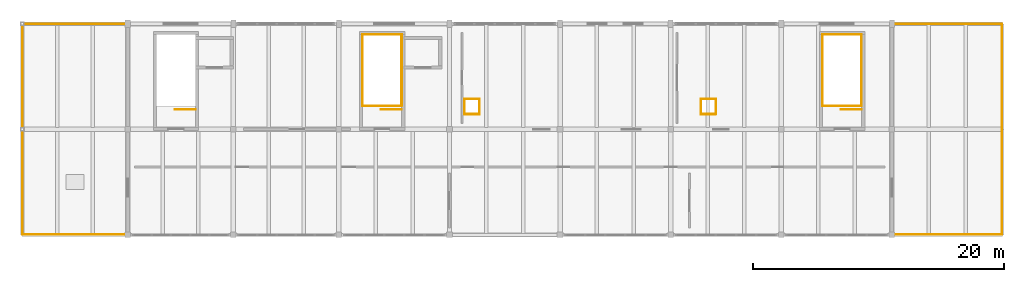
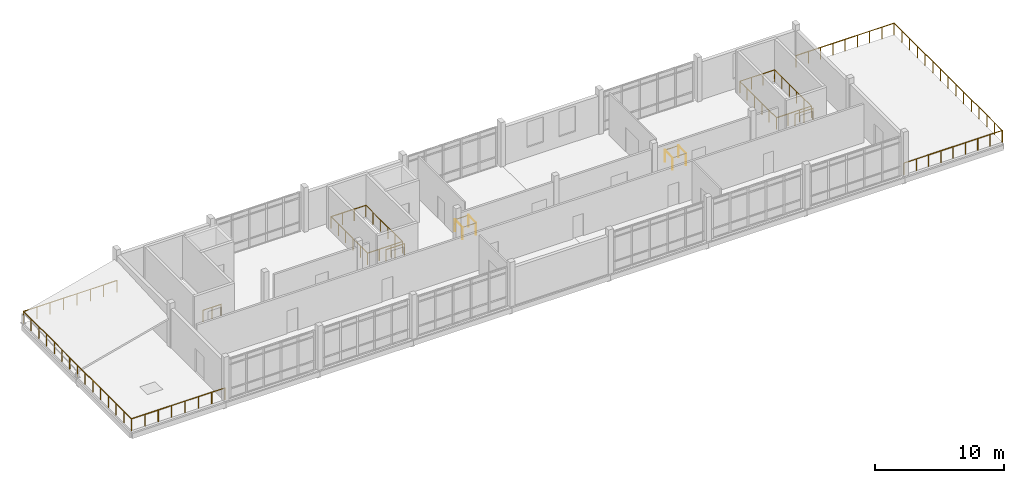
# One storey, part 13 of 13: 25 railings.
"""IFC4 building model written with IfcOpenShell, lengths in metres."""

from ifc_helpers import new_model, si_unit, direction, frame, origin, origin_2d, place, context, subcontext, project, spatial, circle, extrude, material, type_object, element, save


model = new_model("IFC4")

# Units and contexts
model_context = context("Model", 3, precision=1e-05, world=origin(), true_north=direction((0.0, 1.0)))
body_context = subcontext(model_context, "Body", "Model", "MODEL_VIEW")
ifc_project = project(units=[si_unit("LENGTHUNIT", "METRE"), si_unit("AREAUNIT", "SQUARE_METRE"), si_unit("VOLUMEUNIT", "CUBIC_METRE"), si_unit("PLANEANGLEUNIT", "RADIAN"), si_unit("MASSUNIT", "GRAM", prefix="KILO")], contexts=[model_context])

# Site, building, storey
site_placement = place(None, origin())
site = spatial("IfcSite", under=ifc_project, at=site_placement, CompositionType="ELEMENT")
building_placement = place(site_placement, origin())
building = spatial("IfcBuilding", under=site, at=building_placement, Name="Cinderway Yard Community Centre", CompositionType="ELEMENT")
storey_placement = place(building_placement, frame((0.0, 0.0, 20.10009765625)))
storey = spatial("IfcBuildingStorey", under=building, at=storey_placement, Name="L05", CompositionType="ELEMENT", Elevation=20.10009765625)

# Railings
ifc_material = material(Name="Painted Galvanised Steel", Category="steel")
railing_type = type_object("IfcRailingType", Name="INT-RAL-GRD112", PredefinedType="GUARDRAIL", material=ifc_material)
railing_1_placement = place(storey_placement, frame((63.800048828125, 108.3798828125, 0.0)))
element("IfcRailing", 1, at=railing_1_placement, inside=storey, type_object=railing_type, Name="L05 ST-01 top well guard 1", PredefinedType="GUARDRAIL", context=body_context, shape_type="SweptSolid", body=[
    extrude(circle(Radius=0.02392578125, at=origin_2d()), frame((0.0, 0.0, 1.076171875), z_axis=(-1.0, 0.0, 0.0), x_axis=(0.0, -1.0, 0.0)), (0.0, 0.0, 1.0), 1.64013671875),
    extrude(circle(Radius=0.02099609375, at=origin_2d()), origin(), (0.0, 0.0, 1.0), 1.052001953125),
    extrude(circle(Radius=0.02099609375, at=origin_2d()), frame((-0.820068359375, 0.0, 0.0)), (0.0, 0.0, 1.0), 1.052001953125),
    extrude(circle(Radius=0.02099609375, at=origin_2d()), frame((-1.64013671875, 0.0, 0.0)), (0.0, 0.0, 1.0), 1.052001953125),
])
railing_2_placement = place(storey_placement, frame((80.199951171875, 108.3798828125, 0.0)))
element("IfcRailing", 2, at=railing_2_placement, inside=storey, type_object=railing_type, Name="L05 ST-02 top well guard 1", PredefinedType="GUARDRAIL", context=body_context, shape_type="SweptSolid", body=[
    extrude(circle(Radius=0.02392578125, at=origin_2d()), frame((0.0, 0.0, 1.076171875), z_axis=(-1.0, 0.0, 0.0), x_axis=(0.0, -1.0, 0.0)), (0.0, 0.0, 1.0), 1.639892578125),
    extrude(circle(Radius=0.02099609375, at=origin_2d()), origin(), (0.0, 0.0, 1.0), 1.052001953125),
    extrude(circle(Radius=0.02099609375, at=origin_2d()), frame((-0.81982421875, 0.0, 0.0)), (0.0, 0.0, 1.0), 1.052001953125),
    extrude(circle(Radius=0.02099609375, at=origin_2d()), frame((-1.639892578125, 0.0, 0.0)), (0.0, 0.0, 1.0), 1.052001953125),
])
railing_3_placement = place(storey_placement, frame((116.800048828125, 108.3798828125, 0.0)))
element("IfcRailing", 3, at=railing_3_placement, inside=storey, type_object=railing_type, Name="L05 ST-03 top well guard 1", PredefinedType="GUARDRAIL", context=body_context, shape_type="SweptSolid", body=[
    extrude(circle(Radius=0.02392578125, at=origin_2d()), frame((0.0, 0.0, 1.076171875), z_axis=(-1.0, 0.0, 0.0), x_axis=(0.0, -1.0, 0.0)), (0.0, 0.0, 1.0), 1.64013671875),
    extrude(circle(Radius=0.02099609375, at=origin_2d()), origin(), (0.0, 0.0, 1.0), 1.052001953125),
    extrude(circle(Radius=0.02099609375, at=origin_2d()), frame((-0.820068359375, 0.0, 0.0)), (0.0, 0.0, 1.0), 1.052001953125),
    extrude(circle(Radius=0.02099609375, at=origin_2d()), frame((-1.64013671875, 0.0, 0.0)), (0.0, 0.0, 1.0), 1.052001953125),
])
railing_4_placement = place(storey_placement, frame((58.39990234375, 98.419921875, 0.0)))
element("IfcRailing", 4, at=railing_4_placement, inside=storey, type_object=railing_type, Name="V4 L05 West Seminar Terrace Guard 048", PredefinedType="GUARDRAIL", context=body_context, shape_type="SweptSolid", body=[
    extrude(circle(Radius=0.02392578125, at=origin_2d()), frame((0.0, 0.0, 1.09619140625), z_axis=(-1.0, 0.0, 0.0), x_axis=(0.0, -1.0, 0.0)), (0.0, 0.0, 1.0), 8.3798828125),
    extrude(circle(Radius=0.02099609375, at=origin_2d()), origin(), (0.0, 0.0, 1.0), 1.072021484375),
    extrude(circle(Radius=0.02099609375, at=origin_2d()), frame((-1.197021484375, 0.0, 0.0)), (0.0, 0.0, 1.0), 1.072021484375),
    extrude(circle(Radius=0.02099609375, at=origin_2d()), frame((-2.394287109375, 0.0, 0.0)), (0.0, 0.0, 1.0), 1.072021484375),
    extrude(circle(Radius=0.02099609375, at=origin_2d()), frame((-3.59130859375, 0.0, 0.0)), (0.0, 0.0, 1.0), 1.072021484375),
    extrude(circle(Radius=0.02099609375, at=origin_2d()), frame((-4.78857421875, 0.0, 0.0)), (0.0, 0.0, 1.0), 1.072021484375),
    extrude(circle(Radius=0.02099609375, at=origin_2d()), frame((-5.985595703125, 0.0, 0.0)), (0.0, 0.0, 1.0), 1.072021484375),
    extrude(circle(Radius=0.02099609375, at=origin_2d()), frame((-7.182861328125, 0.0, 0.0)), (0.0, 0.0, 1.0), 1.072021484375),
    extrude(circle(Radius=0.02099609375, at=origin_2d()), frame((-8.3798828125, 0.0, 0.0)), (0.0, 0.0, 1.0), 1.072021484375),
])
railing_5_placement = place(storey_placement, frame((50.02001953125, 98.419921875, 0.0)))
element("IfcRailing", 5, at=railing_5_placement, inside=storey, type_object=railing_type, Name="V4 L05 West Seminar Terrace Guard 049", PredefinedType="GUARDRAIL", context=body_context, shape_type="SweptSolid", body=[
    extrude(circle(Radius=0.02392578125, at=origin_2d()), frame((0.0, 0.0, 1.09619140625), z_axis=(0.0, 1.0, 0.0), x_axis=(-1.0, 0.0, 0.0)), (0.0, 0.0, 1.0), 16.760009765625),
    extrude(circle(Radius=0.02099609375, at=origin_2d()), origin(), (0.0, 0.0, 1.0), 1.072021484375),
    extrude(circle(Radius=0.02099609375, at=origin_2d()), frame((0.0, 1.197265625, 0.0)), (0.0, 0.0, 1.0), 1.072021484375),
    extrude(circle(Radius=0.02099609375, at=origin_2d()), frame((0.0, 2.394287109375, 0.0)), (0.0, 0.0, 1.0), 1.072021484375),
    extrude(circle(Radius=0.02099609375, at=origin_2d()), frame((0.0, 3.59130859375, 0.0)), (0.0, 0.0, 1.0), 1.072021484375),
    extrude(circle(Radius=0.02099609375, at=origin_2d()), frame((0.0, 4.78857421875, 0.0)), (0.0, 0.0, 1.0), 1.072021484375),
    extrude(circle(Radius=0.02099609375, at=origin_2d()), frame((0.0, 5.98583984375, 0.0)), (0.0, 0.0, 1.0), 1.072021484375),
    extrude(circle(Radius=0.02099609375, at=origin_2d()), frame((0.0, 7.182861328125, 0.0)), (0.0, 0.0, 1.0), 1.072021484375),
    extrude(circle(Radius=0.02099609375, at=origin_2d()), frame((0.0, 8.3798828125, 0.0)), (0.0, 0.0, 1.0), 1.072021484375),
    extrude(circle(Radius=0.02099609375, at=origin_2d()), frame((0.0, 9.5771484375, 0.0)), (0.0, 0.0, 1.0), 1.072021484375),
    extrude(circle(Radius=0.02099609375, at=origin_2d()), frame((0.0, 10.7744140625, 0.0)), (0.0, 0.0, 1.0), 1.072021484375),
    extrude(circle(Radius=0.02099609375, at=origin_2d()), frame((0.0, 11.971435546875, 0.0)), (0.0, 0.0, 1.0), 1.072021484375),
    extrude(circle(Radius=0.02099609375, at=origin_2d()), frame((0.0, 13.16845703125, 0.0)), (0.0, 0.0, 1.0), 1.072021484375),
    extrude(circle(Radius=0.02099609375, at=origin_2d()), frame((0.0, 14.36572265625, 0.0)), (0.0, 0.0, 1.0), 1.072021484375),
    extrude(circle(Radius=0.02099609375, at=origin_2d()), frame((0.0, 15.56298828125, 0.0)), (0.0, 0.0, 1.0), 1.072021484375),
    extrude(circle(Radius=0.02099609375, at=origin_2d()), frame((0.0, 16.760009765625, 0.0)), (0.0, 0.0, 1.0), 1.072021484375),
])
railing_6_placement = place(storey_placement, frame((50.02001953125, 115.179931640625, 0.0)))
element("IfcRailing", 6, at=railing_6_placement, inside=storey, type_object=railing_type, Name="V4 L05 West Seminar Terrace Guard 050", PredefinedType="GUARDRAIL", context=body_context, shape_type="SweptSolid", body=[
    extrude(circle(Radius=0.02392578125, at=origin_2d()), frame((0.0, 0.0, 1.09619140625), z_axis=(1.0, 0.0, 0.0), x_axis=(0.0, 1.0, 0.0)), (0.0, 0.0, 1.0), 8.3798828125),
    extrude(circle(Radius=0.02099609375, at=origin_2d()), origin(), (0.0, 0.0, 1.0), 1.072021484375),
    extrude(circle(Radius=0.02099609375, at=origin_2d()), frame((1.197021484375, 0.0, 0.0)), (0.0, 0.0, 1.0), 1.072021484375),
    extrude(circle(Radius=0.02099609375, at=origin_2d()), frame((2.394287109375, 0.0, 0.0)), (0.0, 0.0, 1.0), 1.072021484375),
    extrude(circle(Radius=0.02099609375, at=origin_2d()), frame((3.59130859375, 0.0, 0.0)), (0.0, 0.0, 1.0), 1.072021484375),
    extrude(circle(Radius=0.02099609375, at=origin_2d()), frame((4.78857421875, 0.0, 0.0)), (0.0, 0.0, 1.0), 1.072021484375),
    extrude(circle(Radius=0.02099609375, at=origin_2d()), frame((5.985595703125, 0.0, 0.0)), (0.0, 0.0, 1.0), 1.072021484375),
    extrude(circle(Radius=0.02099609375, at=origin_2d()), frame((7.182861328125, 0.0, 0.0)), (0.0, 0.0, 1.0), 1.072021484375),
    extrude(circle(Radius=0.02099609375, at=origin_2d()), frame((8.3798828125, 0.0, 0.0)), (0.0, 0.0, 1.0), 1.072021484375),
])
railing_7_placement = place(storey_placement, frame((119.199951171875, 98.419921875, 0.0)))
element("IfcRailing", 7, at=railing_7_placement, inside=storey, type_object=railing_type, Name="V4 L05 East Admin Terrace Guard 051", PredefinedType="GUARDRAIL", context=body_context, shape_type="SweptSolid", body=[
    extrude(circle(Radius=0.02392578125, at=origin_2d()), frame((0.0, 0.0, 1.09619140625), z_axis=(1.0, 0.0, 0.0), x_axis=(0.0, 1.0, 0.0)), (0.0, 0.0, 1.0), 8.780029296875),
    extrude(circle(Radius=0.02099609375, at=origin_2d()), origin(), (0.0, 0.0, 1.0), 1.072021484375),
    extrude(circle(Radius=0.02099609375, at=origin_2d()), frame((1.097412109375, 0.0, 0.0)), (0.0, 0.0, 1.0), 1.072021484375),
    extrude(circle(Radius=0.02099609375, at=origin_2d()), frame((2.195068359375, 0.0, 0.0)), (0.0, 0.0, 1.0), 1.072021484375),
    extrude(circle(Radius=0.02099609375, at=origin_2d()), frame((3.29248046875, 0.0, 0.0)), (0.0, 0.0, 1.0), 1.072021484375),
    extrude(circle(Radius=0.02099609375, at=origin_2d()), frame((4.39013671875, 0.0, 0.0)), (0.0, 0.0, 1.0), 1.072021484375),
    extrude(circle(Radius=0.02099609375, at=origin_2d()), frame((5.487548828125, 0.0, 0.0)), (0.0, 0.0, 1.0), 1.072021484375),
    extrude(circle(Radius=0.02099609375, at=origin_2d()), frame((6.5849609375, 0.0, 0.0)), (0.0, 0.0, 1.0), 1.072021484375),
    extrude(circle(Radius=0.02099609375, at=origin_2d()), frame((7.6826171875, 0.0, 0.0)), (0.0, 0.0, 1.0), 1.072021484375),
    extrude(circle(Radius=0.02099609375, at=origin_2d()), frame((8.780029296875, 0.0, 0.0)), (0.0, 0.0, 1.0), 1.072021484375),
])
railing_8_placement = place(storey_placement, frame((127.97998046875, 98.419921875, 0.0)))
element("IfcRailing", 8, at=railing_8_placement, inside=storey, type_object=railing_type, Name="V4 L05 East Admin Terrace Guard 052", PredefinedType="GUARDRAIL", context=body_context, shape_type="SweptSolid", body=[
    extrude(circle(Radius=0.02392578125, at=origin_2d()), frame((0.0, 0.0, 1.09619140625), z_axis=(0.0, 1.0, 0.0), x_axis=(-1.0, 0.0, 0.0)), (0.0, 0.0, 1.0), 16.760009765625),
    extrude(circle(Radius=0.02099609375, at=origin_2d()), origin(), (0.0, 0.0, 1.0), 1.072021484375),
    extrude(circle(Radius=0.02099609375, at=origin_2d()), frame((0.0, 1.197265625, 0.0)), (0.0, 0.0, 1.0), 1.072021484375),
    extrude(circle(Radius=0.02099609375, at=origin_2d()), frame((0.0, 2.394287109375, 0.0)), (0.0, 0.0, 1.0), 1.072021484375),
    extrude(circle(Radius=0.02099609375, at=origin_2d()), frame((0.0, 3.59130859375, 0.0)), (0.0, 0.0, 1.0), 1.072021484375),
    extrude(circle(Radius=0.02099609375, at=origin_2d()), frame((0.0, 4.78857421875, 0.0)), (0.0, 0.0, 1.0), 1.072021484375),
    extrude(circle(Radius=0.02099609375, at=origin_2d()), frame((0.0, 5.98583984375, 0.0)), (0.0, 0.0, 1.0), 1.072021484375),
    extrude(circle(Radius=0.02099609375, at=origin_2d()), frame((0.0, 7.182861328125, 0.0)), (0.0, 0.0, 1.0), 1.072021484375),
    extrude(circle(Radius=0.02099609375, at=origin_2d()), frame((0.0, 8.3798828125, 0.0)), (0.0, 0.0, 1.0), 1.072021484375),
    extrude(circle(Radius=0.02099609375, at=origin_2d()), frame((0.0, 9.5771484375, 0.0)), (0.0, 0.0, 1.0), 1.072021484375),
    extrude(circle(Radius=0.02099609375, at=origin_2d()), frame((0.0, 10.7744140625, 0.0)), (0.0, 0.0, 1.0), 1.072021484375),
    extrude(circle(Radius=0.02099609375, at=origin_2d()), frame((0.0, 11.971435546875, 0.0)), (0.0, 0.0, 1.0), 1.072021484375),
    extrude(circle(Radius=0.02099609375, at=origin_2d()), frame((0.0, 13.16845703125, 0.0)), (0.0, 0.0, 1.0), 1.072021484375),
    extrude(circle(Radius=0.02099609375, at=origin_2d()), frame((0.0, 14.36572265625, 0.0)), (0.0, 0.0, 1.0), 1.072021484375),
    extrude(circle(Radius=0.02099609375, at=origin_2d()), frame((0.0, 15.56298828125, 0.0)), (0.0, 0.0, 1.0), 1.072021484375),
    extrude(circle(Radius=0.02099609375, at=origin_2d()), frame((0.0, 16.760009765625, 0.0)), (0.0, 0.0, 1.0), 1.072021484375),
])
railing_9_placement = place(storey_placement, frame((127.97998046875, 115.179931640625, 0.0)))
element("IfcRailing", 9, at=railing_9_placement, inside=storey, type_object=railing_type, Name="V4 L05 East Admin Terrace Guard 053", PredefinedType="GUARDRAIL", context=body_context, shape_type="SweptSolid", body=[
    extrude(circle(Radius=0.02392578125, at=origin_2d()), frame((0.0, 0.0, 1.09619140625), z_axis=(-1.0, 0.0, 0.0), x_axis=(0.0, -1.0, 0.0)), (0.0, 0.0, 1.0), 8.780029296875),
    extrude(circle(Radius=0.02099609375, at=origin_2d()), origin(), (0.0, 0.0, 1.0), 1.072021484375),
    extrude(circle(Radius=0.02099609375, at=origin_2d()), frame((-1.097412109375, 0.0, 0.0)), (0.0, 0.0, 1.0), 1.072021484375),
    extrude(circle(Radius=0.02099609375, at=origin_2d()), frame((-2.195068359375, 0.0, 0.0)), (0.0, 0.0, 1.0), 1.072021484375),
    extrude(circle(Radius=0.02099609375, at=origin_2d()), frame((-3.29248046875, 0.0, 0.0)), (0.0, 0.0, 1.0), 1.072021484375),
    extrude(circle(Radius=0.02099609375, at=origin_2d()), frame((-4.39013671875, 0.0, 0.0)), (0.0, 0.0, 1.0), 1.072021484375),
    extrude(circle(Radius=0.02099609375, at=origin_2d()), frame((-5.487548828125, 0.0, 0.0)), (0.0, 0.0, 1.0), 1.072021484375),
    extrude(circle(Radius=0.02099609375, at=origin_2d()), frame((-6.5849609375, 0.0, 0.0)), (0.0, 0.0, 1.0), 1.072021484375),
    extrude(circle(Radius=0.02099609375, at=origin_2d()), frame((-7.6826171875, 0.0, 0.0)), (0.0, 0.0, 1.0), 1.072021484375),
    extrude(circle(Radius=0.02099609375, at=origin_2d()), frame((-8.780029296875, 0.0, 0.0)), (0.0, 0.0, 1.0), 1.072021484375),
])
railing_10_placement = place(storey_placement, frame((80.199951171875, 108.669921875, 0.0)))
element("IfcRailing", 10, at=railing_10_placement, inside=storey, type_object=railing_type, Name="Service void perimeter guard L05 207", PredefinedType="GUARDRAIL", context=body_context, shape_type="SweptSolid", body=[
    extrude(circle(Radius=0.02392578125, at=origin_2d()), frame((0.0, 0.0, 1.09619140625), z_axis=(0.0, 1.0, 0.0), x_axis=(-1.0, 0.0, 0.0)), (0.0, 0.0, 1.0), 5.68017578125),
    extrude(circle(Radius=0.02099609375, at=origin_2d()), origin(), (0.0, 0.0, 1.0), 1.072021484375),
    extrude(circle(Radius=0.02099609375, at=origin_2d()), frame((0.0, 1.135986328125, 0.0)), (0.0, 0.0, 1.0), 1.072021484375),
    extrude(circle(Radius=0.02099609375, at=origin_2d()), frame((0.0, 2.27197265625, 0.0)), (0.0, 0.0, 1.0), 1.072021484375),
    extrude(circle(Radius=0.02099609375, at=origin_2d()), frame((0.0, 3.408203125, 0.0)), (0.0, 0.0, 1.0), 1.072021484375),
    extrude(circle(Radius=0.02099609375, at=origin_2d()), frame((0.0, 4.544189453125, 0.0)), (0.0, 0.0, 1.0), 1.072021484375),
    extrude(circle(Radius=0.02099609375, at=origin_2d()), frame((0.0, 5.68017578125, 0.0)), (0.0, 0.0, 1.0), 1.072021484375),
])
railing_11_placement = place(storey_placement, frame((80.199951171875, 114.35009765625, 0.0)))
element("IfcRailing", 11, at=railing_11_placement, inside=storey, type_object=railing_type, Name="Service void perimeter guard L05 208", PredefinedType="GUARDRAIL", context=body_context, shape_type="SweptSolid", body=[
    extrude(circle(Radius=0.02392578125, at=origin_2d()), frame((0.0, 0.0, 1.09619140625), z_axis=(-1.0, 0.0, 0.0), x_axis=(0.0, -1.0, 0.0)), (0.0, 0.0, 1.0), 3.119873046875),
    extrude(circle(Radius=0.02099609375, at=origin_2d()), origin(), (0.0, 0.0, 1.0), 1.072021484375),
    extrude(circle(Radius=0.02099609375, at=origin_2d()), frame((-1.0400390625, 0.0, 0.0)), (0.0, 0.0, 1.0), 1.072021484375),
    extrude(circle(Radius=0.02099609375, at=origin_2d()), frame((-2.079833984375, 0.0, 0.0)), (0.0, 0.0, 1.0), 1.072021484375),
    extrude(circle(Radius=0.02099609375, at=origin_2d()), frame((-3.119873046875, 0.0, 0.0)), (0.0, 0.0, 1.0), 1.072021484375),
])
railing_12_placement = place(storey_placement, frame((77.080078125, 114.35009765625, 0.0)))
element("IfcRailing", 12, at=railing_12_placement, inside=storey, type_object=railing_type, Name="Service void perimeter guard L05 209", PredefinedType="GUARDRAIL", context=body_context, shape_type="SweptSolid", body=[
    extrude(circle(Radius=0.02392578125, at=origin_2d()), frame((0.0, 0.0, 1.09619140625), z_axis=(0.0, -1.0, 0.0), x_axis=(1.0, 0.0, 0.0)), (0.0, 0.0, 1.0), 5.68017578125),
    extrude(circle(Radius=0.02099609375, at=origin_2d()), origin(), (0.0, 0.0, 1.0), 1.072021484375),
    extrude(circle(Radius=0.02099609375, at=origin_2d()), frame((0.0, -1.135986328125, 0.0)), (0.0, 0.0, 1.0), 1.072021484375),
    extrude(circle(Radius=0.02099609375, at=origin_2d()), frame((0.0, -2.27197265625, 0.0)), (0.0, 0.0, 1.0), 1.072021484375),
    extrude(circle(Radius=0.02099609375, at=origin_2d()), frame((0.0, -3.408203125, 0.0)), (0.0, 0.0, 1.0), 1.072021484375),
    extrude(circle(Radius=0.02099609375, at=origin_2d()), frame((0.0, -4.544189453125, 0.0)), (0.0, 0.0, 1.0), 1.072021484375),
    extrude(circle(Radius=0.02099609375, at=origin_2d()), frame((0.0, -5.68017578125, 0.0)), (0.0, 0.0, 1.0), 1.072021484375),
])
railing_13_placement = place(storey_placement, frame((77.080078125, 108.669921875, 0.0)))
element("IfcRailing", 13, at=railing_13_placement, inside=storey, type_object=railing_type, Name="Service void perimeter guard L05 210", PredefinedType="GUARDRAIL", context=body_context, shape_type="SweptSolid", body=[
    extrude(circle(Radius=0.02392578125, at=origin_2d()), frame((0.0, 0.0, 1.09619140625), z_axis=(1.0, 0.0, 0.0), x_axis=(0.0, 1.0, 0.0)), (0.0, 0.0, 1.0), 3.119873046875),
    extrude(circle(Radius=0.02099609375, at=origin_2d()), origin(), (0.0, 0.0, 1.0), 1.072021484375),
    extrude(circle(Radius=0.02099609375, at=origin_2d()), frame((1.0400390625, 0.0, 0.0)), (0.0, 0.0, 1.0), 1.072021484375),
    extrude(circle(Radius=0.02099609375, at=origin_2d()), frame((2.079833984375, 0.0, 0.0)), (0.0, 0.0, 1.0), 1.072021484375),
    extrude(circle(Radius=0.02099609375, at=origin_2d()), frame((3.119873046875, 0.0, 0.0)), (0.0, 0.0, 1.0), 1.072021484375),
])
railing_14_placement = place(storey_placement, frame((85.199951171875, 108.0, 0.0)))
element("IfcRailing", 14, at=railing_14_placement, inside=storey, type_object=railing_type, Name="Service void perimeter guard L05 211", PredefinedType="GUARDRAIL", context=body_context, shape_type="SweptSolid", body=[
    extrude(circle(Radius=0.02392578125, at=origin_2d()), frame((0.0, 0.0, 1.09619140625), z_axis=(1.0, 0.0, 0.0), x_axis=(0.0, 1.0, 0.0)), (0.0, 0.0, 1.0), 1.199951171875),
    extrude(circle(Radius=0.02099609375, at=origin_2d()), origin(), (0.0, 0.0, 1.0), 1.072021484375),
    extrude(circle(Radius=0.02099609375, at=origin_2d()), frame((1.199951171875, 0.0, 0.0)), (0.0, 0.0, 1.0), 1.072021484375),
])
railing_15_placement = place(storey_placement, frame((86.39990234375, 108.0, 0.0)))
element("IfcRailing", 15, at=railing_15_placement, inside=storey, type_object=railing_type, Name="Service void perimeter guard L05 212", PredefinedType="GUARDRAIL", context=body_context, shape_type="SweptSolid", body=[
    extrude(circle(Radius=0.02392578125, at=origin_2d()), frame((0.0, 0.0, 1.09619140625), z_axis=(0.0, 1.0, 0.0), x_axis=(-1.0, 0.0, 0.0)), (0.0, 0.0, 1.0), 1.199951171875),
    extrude(circle(Radius=0.02099609375, at=origin_2d()), origin(), (0.0, 0.0, 1.0), 1.072021484375),
    extrude(circle(Radius=0.02099609375, at=origin_2d()), frame((0.0, 1.199951171875, 0.0)), (0.0, 0.0, 1.0), 1.072021484375),
])
railing_16_placement = place(storey_placement, frame((86.39990234375, 109.199951171875, 0.0)))
element("IfcRailing", 16, at=railing_16_placement, inside=storey, type_object=railing_type, Name="Service void perimeter guard L05 213", PredefinedType="GUARDRAIL", context=body_context, shape_type="SweptSolid", body=[
    extrude(circle(Radius=0.02392578125, at=origin_2d()), frame((0.0, 0.0, 1.09619140625), z_axis=(-1.0, 0.0, 0.0), x_axis=(0.0, -1.0, 0.0)), (0.0, 0.0, 1.0), 1.199951171875),
    extrude(circle(Radius=0.02099609375, at=origin_2d()), origin(), (0.0, 0.0, 1.0), 1.072021484375),
    extrude(circle(Radius=0.02099609375, at=origin_2d()), frame((-1.199951171875, 0.0, 0.0)), (0.0, 0.0, 1.0), 1.072021484375),
])
railing_17_placement = place(storey_placement, frame((85.199951171875, 109.199951171875, 0.0)))
element("IfcRailing", 17, at=railing_17_placement, inside=storey, type_object=railing_type, Name="Service void perimeter guard L05 214", PredefinedType="GUARDRAIL", context=body_context, shape_type="SweptSolid", body=[
    extrude(circle(Radius=0.02392578125, at=origin_2d()), frame((0.0, 0.0, 1.09619140625), z_axis=(0.0, -1.0, 0.0), x_axis=(1.0, 0.0, 0.0)), (0.0, 0.0, 1.0), 1.199951171875),
    extrude(circle(Radius=0.02099609375, at=origin_2d()), origin(), (0.0, 0.0, 1.0), 1.072021484375),
    extrude(circle(Radius=0.02099609375, at=origin_2d()), frame((0.0, -1.199951171875, 0.0)), (0.0, 0.0, 1.0), 1.072021484375),
])
railing_18_placement = place(storey_placement, frame((116.800048828125, 108.669921875, 0.0)))
element("IfcRailing", 18, at=railing_18_placement, inside=storey, type_object=railing_type, Name="Service void perimeter guard L05 215", PredefinedType="GUARDRAIL", context=body_context, shape_type="SweptSolid", body=[
    extrude(circle(Radius=0.02392578125, at=origin_2d()), frame((0.0, 0.0, 1.09619140625), z_axis=(0.0, 1.0, 0.0), x_axis=(-1.0, 0.0, 0.0)), (0.0, 0.0, 1.0), 5.68017578125),
    extrude(circle(Radius=0.02099609375, at=origin_2d()), origin(), (0.0, 0.0, 1.0), 1.072021484375),
    extrude(circle(Radius=0.02099609375, at=origin_2d()), frame((0.0, 1.135986328125, 0.0)), (0.0, 0.0, 1.0), 1.072021484375),
    extrude(circle(Radius=0.02099609375, at=origin_2d()), frame((0.0, 2.27197265625, 0.0)), (0.0, 0.0, 1.0), 1.072021484375),
    extrude(circle(Radius=0.02099609375, at=origin_2d()), frame((0.0, 3.408203125, 0.0)), (0.0, 0.0, 1.0), 1.072021484375),
    extrude(circle(Radius=0.02099609375, at=origin_2d()), frame((0.0, 4.544189453125, 0.0)), (0.0, 0.0, 1.0), 1.072021484375),
    extrude(circle(Radius=0.02099609375, at=origin_2d()), frame((0.0, 5.68017578125, 0.0)), (0.0, 0.0, 1.0), 1.072021484375),
])
railing_19_placement = place(storey_placement, frame((116.800048828125, 114.35009765625, 0.0)))
element("IfcRailing", 19, at=railing_19_placement, inside=storey, type_object=railing_type, Name="Service void perimeter guard L05 216", PredefinedType="GUARDRAIL", context=body_context, shape_type="SweptSolid", body=[
    extrude(circle(Radius=0.02392578125, at=origin_2d()), frame((0.0, 0.0, 1.09619140625), z_axis=(-1.0, 0.0, 0.0), x_axis=(0.0, -1.0, 0.0)), (0.0, 0.0, 1.0), 3.1201171875),
    extrude(circle(Radius=0.02099609375, at=origin_2d()), origin(), (0.0, 0.0, 1.0), 1.072021484375),
    extrude(circle(Radius=0.02099609375, at=origin_2d()), frame((-1.0400390625, 0.0, 0.0)), (0.0, 0.0, 1.0), 1.072021484375),
    extrude(circle(Radius=0.02099609375, at=origin_2d()), frame((-2.080078125, 0.0, 0.0)), (0.0, 0.0, 1.0), 1.072021484375),
    extrude(circle(Radius=0.02099609375, at=origin_2d()), frame((-3.1201171875, 0.0, 0.0)), (0.0, 0.0, 1.0), 1.072021484375),
])
railing_20_placement = place(storey_placement, frame((113.679931640625, 114.35009765625, 0.0)))
element("IfcRailing", 20, at=railing_20_placement, inside=storey, type_object=railing_type, Name="Service void perimeter guard L05 217", PredefinedType="GUARDRAIL", context=body_context, shape_type="SweptSolid", body=[
    extrude(circle(Radius=0.02392578125, at=origin_2d()), frame((0.0, 0.0, 1.09619140625), z_axis=(0.0, -1.0, 0.0), x_axis=(1.0, 0.0, 0.0)), (0.0, 0.0, 1.0), 5.68017578125),
    extrude(circle(Radius=0.02099609375, at=origin_2d()), origin(), (0.0, 0.0, 1.0), 1.072021484375),
    extrude(circle(Radius=0.02099609375, at=origin_2d()), frame((0.0, -1.135986328125, 0.0)), (0.0, 0.0, 1.0), 1.072021484375),
    extrude(circle(Radius=0.02099609375, at=origin_2d()), frame((0.0, -2.27197265625, 0.0)), (0.0, 0.0, 1.0), 1.072021484375),
    extrude(circle(Radius=0.02099609375, at=origin_2d()), frame((0.0, -3.408203125, 0.0)), (0.0, 0.0, 1.0), 1.072021484375),
    extrude(circle(Radius=0.02099609375, at=origin_2d()), frame((0.0, -4.544189453125, 0.0)), (0.0, 0.0, 1.0), 1.072021484375),
    extrude(circle(Radius=0.02099609375, at=origin_2d()), frame((0.0, -5.68017578125, 0.0)), (0.0, 0.0, 1.0), 1.072021484375),
])
railing_21_placement = place(storey_placement, frame((113.679931640625, 108.669921875, 0.0)))
element("IfcRailing", 21, at=railing_21_placement, inside=storey, type_object=railing_type, Name="Service void perimeter guard L05 218", PredefinedType="GUARDRAIL", context=body_context, shape_type="SweptSolid", body=[
    extrude(circle(Radius=0.02392578125, at=origin_2d()), frame((0.0, 0.0, 1.09619140625), z_axis=(1.0, 0.0, 0.0), x_axis=(0.0, 1.0, 0.0)), (0.0, 0.0, 1.0), 3.1201171875),
    extrude(circle(Radius=0.02099609375, at=origin_2d()), origin(), (0.0, 0.0, 1.0), 1.072021484375),
    extrude(circle(Radius=0.02099609375, at=origin_2d()), frame((1.0400390625, 0.0, 0.0)), (0.0, 0.0, 1.0), 1.072021484375),
    extrude(circle(Radius=0.02099609375, at=origin_2d()), frame((2.080078125, 0.0, 0.0)), (0.0, 0.0, 1.0), 1.072021484375),
    extrude(circle(Radius=0.02099609375, at=origin_2d()), frame((3.1201171875, 0.0, 0.0)), (0.0, 0.0, 1.0), 1.072021484375),
])
railing_22_placement = place(storey_placement, frame((104.0, 108.0, 0.0)))
element("IfcRailing", 22, at=railing_22_placement, inside=storey, type_object=railing_type, Name="Service void perimeter guard L05 219", PredefinedType="GUARDRAIL", context=body_context, shape_type="SweptSolid", body=[
    extrude(circle(Radius=0.02392578125, at=origin_2d()), frame((0.0, 0.0, 1.09619140625), z_axis=(1.0, 0.0, 0.0), x_axis=(0.0, 1.0, 0.0)), (0.0, 0.0, 1.0), 1.199951171875),
    extrude(circle(Radius=0.02099609375, at=origin_2d()), origin(), (0.0, 0.0, 1.0), 1.072021484375),
    extrude(circle(Radius=0.02099609375, at=origin_2d()), frame((1.199951171875, 0.0, 0.0)), (0.0, 0.0, 1.0), 1.072021484375),
])
railing_23_placement = place(storey_placement, frame((105.199951171875, 108.0, 0.0)))
element("IfcRailing", 23, at=railing_23_placement, inside=storey, type_object=railing_type, Name="Service void perimeter guard L05 220", PredefinedType="GUARDRAIL", context=body_context, shape_type="SweptSolid", body=[
    extrude(circle(Radius=0.02392578125, at=origin_2d()), frame((0.0, 0.0, 1.09619140625), z_axis=(0.0, 1.0, 0.0), x_axis=(-1.0, 0.0, 0.0)), (0.0, 0.0, 1.0), 1.199951171875),
    extrude(circle(Radius=0.02099609375, at=origin_2d()), origin(), (0.0, 0.0, 1.0), 1.072021484375),
    extrude(circle(Radius=0.02099609375, at=origin_2d()), frame((0.0, 1.199951171875, 0.0)), (0.0, 0.0, 1.0), 1.072021484375),
])
railing_24_placement = place(storey_placement, frame((105.199951171875, 109.199951171875, 0.0)))
element("IfcRailing", 24, at=railing_24_placement, inside=storey, type_object=railing_type, Name="Service void perimeter guard L05 221", PredefinedType="GUARDRAIL", context=body_context, shape_type="SweptSolid", body=[
    extrude(circle(Radius=0.02392578125, at=origin_2d()), frame((0.0, 0.0, 1.09619140625), z_axis=(-1.0, 0.0, 0.0), x_axis=(0.0, -1.0, 0.0)), (0.0, 0.0, 1.0), 1.199951171875),
    extrude(circle(Radius=0.02099609375, at=origin_2d()), origin(), (0.0, 0.0, 1.0), 1.072021484375),
    extrude(circle(Radius=0.02099609375, at=origin_2d()), frame((-1.199951171875, 0.0, 0.0)), (0.0, 0.0, 1.0), 1.072021484375),
])
railing_25_placement = place(storey_placement, frame((104.0, 109.199951171875, 0.0)))
element("IfcRailing", 25, at=railing_25_placement, inside=storey, type_object=railing_type, Name="Service void perimeter guard L05 222", PredefinedType="GUARDRAIL", context=body_context, shape_type="SweptSolid", body=[
    extrude(circle(Radius=0.02392578125, at=origin_2d()), frame((0.0, 0.0, 1.09619140625), z_axis=(0.0, -1.0, 0.0), x_axis=(1.0, 0.0, 0.0)), (0.0, 0.0, 1.0), 1.199951171875),
    extrude(circle(Radius=0.02099609375, at=origin_2d()), origin(), (0.0, 0.0, 1.0), 1.072021484375),
    extrude(circle(Radius=0.02099609375, at=origin_2d()), frame((0.0, -1.199951171875, 0.0)), (0.0, 0.0, 1.0), 1.072021484375),
])

save(model, "model.ifc")
